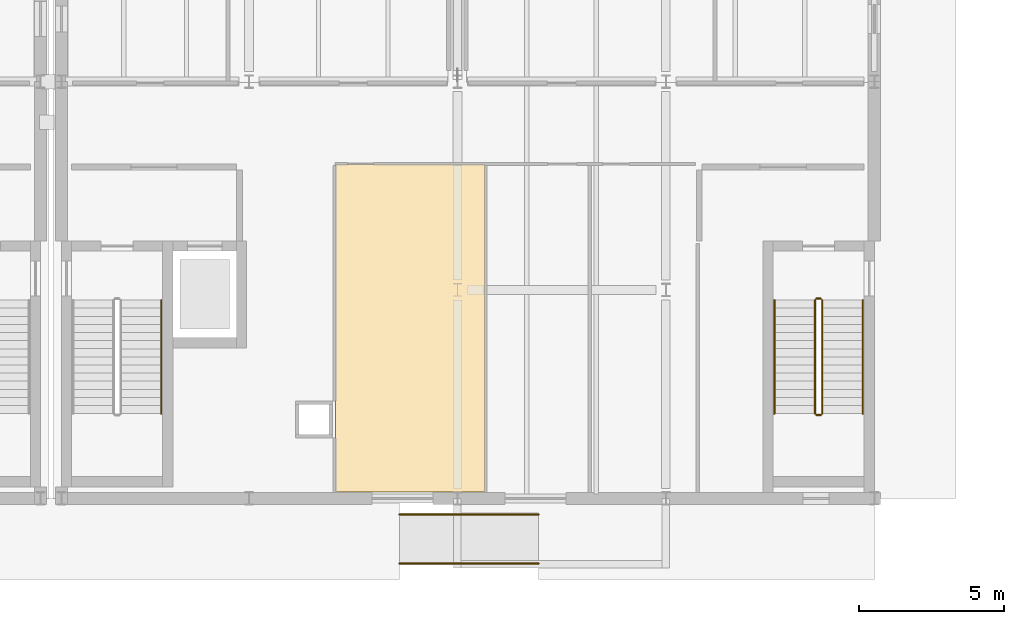
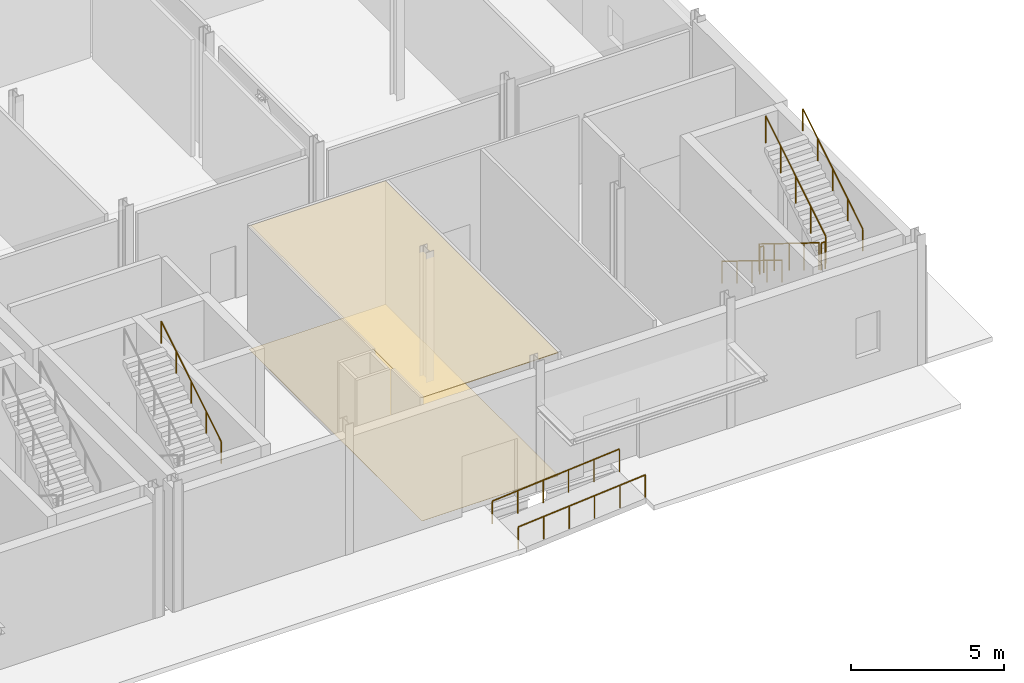
# One storey, part 79 of 89: 9 railings, 2 coverings.
"""IFC4 building model written with IfcOpenShell, lengths in metres."""

from ifc_helpers import new_model, si_unit, direction, frame, origin, origin_2d, place, context, subcontext, project, spatial, polyline, circle, outline, extrude, material, layer, layer_set, type_object, element, save


model = new_model("IFC4")

# Units and contexts
model_context = context("Model", 3, precision=1e-05, world=origin(), true_north=direction((0.0, 1.0)))
body_context = subcontext(model_context, "Body", "Model", "MODEL_VIEW")
ifc_project = project(units=[si_unit("LENGTHUNIT", "METRE"), si_unit("AREAUNIT", "SQUARE_METRE"), si_unit("VOLUMEUNIT", "CUBIC_METRE"), si_unit("PLANEANGLEUNIT", "RADIAN"), si_unit("MASSUNIT", "GRAM", prefix="KILO")], contexts=[model_context])

# Site, building, storey
site_placement = place(None, origin())
site = spatial("IfcSite", under=ifc_project, at=site_placement, CompositionType="ELEMENT")
building_placement = place(site_placement, origin())
building = spatial("IfcBuilding", under=site, at=building_placement, Name="Zarrinpeak Specialist Clinic", CompositionType="ELEMENT")
storey_placement = place(building_placement, origin())
storey = spatial("IfcBuildingStorey", under=building, at=storey_placement, Name="L00", CompositionType="ELEMENT", Elevation=0.0)

# Coverings
ifc_material_1 = material(Name="Hygienic Acoustic Mineral Fibre Tile")
ifc_layer_1 = layer(ifc_material_1, 0.02490234375)
ifc_layer_set_1 = layer_set([ifc_layer_1], Name="Hygienic Acoustic Mineral Fibre Tile")
covering_type_1 = type_object("IfcCoveringType", Name="CV-CEIL-AC", PredefinedType="CEILING", material=ifc_layer_set_1)
covering_1_placement = place(storey_placement, frame((0.0, 0.0, 4.9150390625)))
element("IfcCovering", 1, at=covering_1_placement, inside=storey, type_object=covering_type_1, Name="L00 Day Surgery Admissions Lounge Hygienic Acoustic Ceiling", PredefinedType="CEILING", context=body_context, shape_type="SweptSolid", body=[
    extrude(outline(polyline([(67.7900390625, 0.219970703125), (72.949951171875, 0.219970703125), (72.949951171875, 11.530029296875), (67.7900390625, 11.530029296875), (67.7900390625, 0.219970703125)])), origin(), (0.0, 0.0, 1.0), 0.02490234375),
])
ifc_material_2 = material(Name="Homogeneous Antimicrobial Clinical Vinyl")
ifc_layer_2 = layer(ifc_material_2, 0.008056640625)
ifc_layer_set_2 = layer_set([ifc_layer_2], Name="Homogeneous Antimicrobial Clinical Vinyl")
covering_type_2 = type_object("IfcCoveringType", Name="CV-FLR-VN", PredefinedType="FLOORING", material=ifc_layer_set_2)
covering_2_placement = place(storey_placement, frame((0.0, 0.0, 0.0009765625)))
element("IfcCovering", 2, at=covering_2_placement, inside=storey, type_object=covering_type_2, Name="L00 Day Surgery Admissions Lounge Antimicrobial Vinyl Flooring", PredefinedType="FLOORING", context=body_context, shape_type="SweptSolid", body=[
    extrude(outline(polyline([(67.7900390625, 0.219970703125), (72.949951171875, 0.219970703125), (72.949951171875, 11.530029296875), (67.7900390625, 11.530029296875), (67.7900390625, 0.219970703125)])), origin(), (0.0, 0.0, 1.0), 0.008056640625),
])

# Railings
ifc_material_3 = material(Name="Laminated Safety Glass and Stainless Steel 316", Category="steel")
ifc_layer_3 = layer(ifc_material_3, 0.06005859375)
ifc_layer_set_3 = layer_set([ifc_layer_3], Name="Laminated Safety Glass and Stainless Steel 316")
railing_type_1 = type_object("IfcRailingType", Name="RL-GRD115", PredefinedType="GUARDRAIL", material=ifc_layer_set_3)
railing_1_placement = place(storey_placement, frame((84.35009765625, 6.85009765625, 0.17333984375)))
element("IfcRailing", 3, at=railing_1_placement, inside=storey, type_object=railing_type_1, Name="L00 ST-08 stair guard 1", PredefinedType="GUARDRAIL", context=body_context, shape_type="SweptSolid", body=[
    extrude(circle(Radius=0.02392578125, at=origin_2d()), frame((0.0, 0.0, 1.076171875), z_axis=(0.0, -0.850266275192, 0.526352791643), x_axis=(1.0, 0.0, 0.0)), (0.0, 0.0, 1.0), 4.610595703125),
    extrude(circle(Radius=0.02099609375, at=origin_2d()), origin(), (0.0, 0.0, 1.0), 1.052001953125),
    extrude(circle(Radius=0.02099609375, at=origin_2d()), frame((0.0, -0.97998046875, 0.606689453125)), (0.0, 0.0, 1.0), 1.052001953125),
    extrude(circle(Radius=0.02099609375, at=origin_2d()), frame((0.0, -1.9599609375, 1.21337890625)), (0.0, 0.0, 1.0), 1.052001953125),
    extrude(circle(Radius=0.02099609375, at=origin_2d()), frame((0.0, -2.940185546875, 1.820068359375)), (0.0, 0.0, 1.0), 1.052001953125),
    extrude(circle(Radius=0.02099609375, at=origin_2d()), frame((0.0, -3.920166015625, 2.4267578125)), (0.0, 0.0, 1.0), 1.052001953125),
])
railing_2_placement = place(storey_placement, frame((84.39990234375, 2.8798828125, 2.60009765625)))
element("IfcRailing", 4, at=railing_2_placement, inside=storey, type_object=railing_type_1, Name="L00 ST-08 stair guard 2", PredefinedType="GUARDRAIL", context=body_context, shape_type="SweptSolid", body=[
    extrude(circle(Radius=0.02392578125, at=origin_2d()), frame((0.0, 0.0, 1.076171875), z_axis=(1.0, 0.0, 0.0), x_axis=(0.0, 1.0, 0.0)), (0.0, 0.0, 1.0), 0.150146484375),
    extrude(circle(Radius=0.02099609375, at=origin_2d()), origin(), (0.0, 0.0, 1.0), 1.052001953125),
    extrude(circle(Radius=0.02099609375, at=origin_2d()), frame((0.150146484375, 0.0, 0.0)), (0.0, 0.0, 1.0), 1.052001953125),
])
railing_3_placement = place(storey_placement, frame((84.60009765625, 2.929931640625, 2.7734375)))
element("IfcRailing", 5, at=railing_3_placement, inside=storey, type_object=railing_type_1, Name="L00 ST-08 stair guard 3", PredefinedType="GUARDRAIL", context=body_context, shape_type="SweptSolid", body=[
    extrude(circle(Radius=0.02392578125, at=origin_2d()), frame((0.0, 0.0, 1.076171875), z_axis=(0.0, 0.850289973577, 0.526314507528), x_axis=(-1.0, 0.0, 0.0)), (0.0, 0.0, 1.0), 4.6103515625),
    extrude(circle(Radius=0.02099609375, at=origin_2d()), origin(), (0.0, 0.0, 1.0), 1.052001953125),
    extrude(circle(Radius=0.02099609375, at=origin_2d()), frame((0.0, 0.97998046875, 0.606689453125)), (0.0, 0.0, 1.0), 1.052001953125),
    extrude(circle(Radius=0.02099609375, at=origin_2d()), frame((0.0, 1.9599609375, 1.21337890625)), (0.0, 0.0, 1.0), 1.052001953125),
    extrude(circle(Radius=0.02099609375, at=origin_2d()), frame((0.0, 2.940185546875, 1.81982421875)), (0.0, 0.0, 1.0), 1.052001953125),
    extrude(circle(Radius=0.02099609375, at=origin_2d()), frame((0.0, 3.920166015625, 2.426513671875)), (0.0, 0.0, 1.0), 1.052001953125),
])
railing_4_placement = place(storey_placement, frame((84.39990234375, 6.89990234375, 0.0)))
element("IfcRailing", 6, at=railing_4_placement, inside=storey, type_object=railing_type_1, Name="L00 ST-08 stair guard 4", PredefinedType="GUARDRAIL", context=body_context, shape_type="SweptSolid", body=[
    extrude(circle(Radius=0.02392578125, at=origin_2d()), frame((0.0, 0.0, 1.076171875), z_axis=(1.0, 0.0, 0.0), x_axis=(0.0, 1.0, 0.0)), (0.0, 0.0, 1.0), 0.150146484375),
    extrude(circle(Radius=0.02099609375, at=origin_2d()), origin(), (0.0, 0.0, 1.0), 1.052001953125),
    extrude(circle(Radius=0.02099609375, at=origin_2d()), frame((0.150146484375, 0.0, 0.0)), (0.0, 0.0, 1.0), 1.052001953125),
])
ifc_material_4 = material(Name="Brushed Stainless Steel 316 Handrail", Category="steel")
ifc_layer_4 = layer(ifc_material_4, 0.050048828125)
ifc_layer_set_4 = layer_set([ifc_layer_4], Name="Brushed Stainless Steel 316 Handrail")
railing_type_2 = type_object("IfcRailingType", Name="RL-HND92", PredefinedType="HANDRAIL", material=ifc_layer_set_4)
for number, where, name in (
    (7, (70.0, -0.550048828125, -0.39990234375), "Accessible Ramp Handrail R-ACC3-L"),
    (8, (70.0, -2.25, -0.39990234375), "Accessible Ramp Handrail R-ACC3-R"),
):
    element("IfcRailing", number, at=place(storey_placement, frame(where)), inside=storey, type_object=railing_type_2, Name=name, PredefinedType="HANDRAIL", context=body_context, shape_type="SweptSolid", body=[
        extrude(circle(Radius=0.02392578125, at=origin_2d()), frame((0.0, 0.0, 0.89599609375), z_axis=(0.996547505835, 0.0, 0.083024506106), x_axis=(0.0, 1.0, 0.0)), (0.0, 0.0, 1.0), 4.816650390625),
        extrude(circle(Radius=0.02099609375, at=origin_2d()), origin(), (0.0, 0.0, 1.0), 0.871826171875),
        extrude(circle(Radius=0.02099609375, at=origin_2d()), frame((0.9599609375, 0.0, 0.080078125)), (0.0, 0.0, 1.0), 0.871826171875),
        extrude(circle(Radius=0.02099609375, at=origin_2d()), frame((1.919921875, 0.0, 0.159912109375)), (0.0, 0.0, 1.0), 0.871826171875),
        extrude(circle(Radius=0.02099609375, at=origin_2d()), frame((2.880126953125, 0.0, 0.239990234375)), (0.0, 0.0, 1.0), 0.871826171875),
        extrude(circle(Radius=0.02099609375, at=origin_2d()), frame((3.840087890625, 0.0, 0.31982421875)), (0.0, 0.0, 1.0), 0.871826171875),
        extrude(circle(Radius=0.02099609375, at=origin_2d()), frame((4.800048828125, 0.0, 0.39990234375)), (0.0, 0.0, 1.0), 0.871826171875),
    ])
railing_5_placement = place(storey_placement, frame((61.77001953125, 2.929931640625, 2.7734375)))
element("IfcRailing", 9, at=railing_5_placement, inside=storey, type_object=railing_type_2, Name="L00 ST-07 stair handrail 2", PredefinedType="HANDRAIL", context=body_context, shape_type="SweptSolid", body=[
    extrude(circle(Radius=0.02392578125, at=origin_2d()), frame((0.0, 0.0, 0.8759765625), z_axis=(0.0, 0.850289973577, 0.526314507528), x_axis=(-1.0, 0.0, 0.0)), (0.0, 0.0, 1.0), 4.6103515625),
    extrude(circle(Radius=0.02099609375, at=origin_2d()), origin(), (0.0, 0.0, 1.0), 0.851806640625),
    extrude(circle(Radius=0.02099609375, at=origin_2d()), frame((0.0, 0.97998046875, 0.606689453125)), (0.0, 0.0, 1.0), 0.851806640625),
    extrude(circle(Radius=0.02099609375, at=origin_2d()), frame((0.0, 1.9599609375, 1.21337890625)), (0.0, 0.0, 1.0), 0.851806640625),
    extrude(circle(Radius=0.02099609375, at=origin_2d()), frame((0.0, 2.940185546875, 1.81982421875)), (0.0, 0.0, 1.0), 0.851806640625),
    extrude(circle(Radius=0.02099609375, at=origin_2d()), frame((0.0, 3.920166015625, 2.426513671875)), (0.0, 0.0, 1.0), 0.851806640625),
])
railing_6_placement = place(storey_placement, frame((82.949951171875, 6.85009765625, 0.17333984375)))
element("IfcRailing", 10, at=railing_6_placement, inside=storey, type_object=railing_type_2, Name="L00 ST-08 stair handrail 1", PredefinedType="HANDRAIL", context=body_context, shape_type="SweptSolid", body=[
    extrude(circle(Radius=0.02392578125, at=origin_2d()), frame((0.0, 0.0, 0.8759765625), z_axis=(0.0, -0.850266275192, 0.526352791643), x_axis=(1.0, 0.0, 0.0)), (0.0, 0.0, 1.0), 4.610595703125),
    extrude(circle(Radius=0.02099609375, at=origin_2d()), origin(), (0.0, 0.0, 1.0), 0.851806640625),
    extrude(circle(Radius=0.02099609375, at=origin_2d()), frame((0.0, -0.97998046875, 0.606689453125)), (0.0, 0.0, 1.0), 0.851806640625),
    extrude(circle(Radius=0.02099609375, at=origin_2d()), frame((0.0, -1.9599609375, 1.21337890625)), (0.0, 0.0, 1.0), 0.851806640625),
    extrude(circle(Radius=0.02099609375, at=origin_2d()), frame((0.0, -2.940185546875, 1.820068359375)), (0.0, 0.0, 1.0), 0.851806640625),
    extrude(circle(Radius=0.02099609375, at=origin_2d()), frame((0.0, -3.920166015625, 2.4267578125)), (0.0, 0.0, 1.0), 0.851806640625),
])
railing_7_placement = place(storey_placement, frame((86.0, 2.929931640625, 2.7734375)))
element("IfcRailing", 11, at=railing_7_placement, inside=storey, type_object=railing_type_2, Name="L00 ST-08 stair handrail 2", PredefinedType="HANDRAIL", context=body_context, shape_type="SweptSolid", body=[
    extrude(circle(Radius=0.02392578125, at=origin_2d()), frame((0.0, 0.0, 0.8759765625), z_axis=(0.0, 0.850289973577, 0.526314507528), x_axis=(-1.0, 0.0, 0.0)), (0.0, 0.0, 1.0), 4.6103515625),
    extrude(circle(Radius=0.02099609375, at=origin_2d()), origin(), (0.0, 0.0, 1.0), 0.851806640625),
    extrude(circle(Radius=0.02099609375, at=origin_2d()), frame((0.0, 0.97998046875, 0.606689453125)), (0.0, 0.0, 1.0), 0.851806640625),
    extrude(circle(Radius=0.02099609375, at=origin_2d()), frame((0.0, 1.9599609375, 1.21337890625)), (0.0, 0.0, 1.0), 0.851806640625),
    extrude(circle(Radius=0.02099609375, at=origin_2d()), frame((0.0, 2.940185546875, 1.81982421875)), (0.0, 0.0, 1.0), 0.851806640625),
    extrude(circle(Radius=0.02099609375, at=origin_2d()), frame((0.0, 3.920166015625, 2.426513671875)), (0.0, 0.0, 1.0), 0.851806640625),
])

save(model, "model.ifc")
